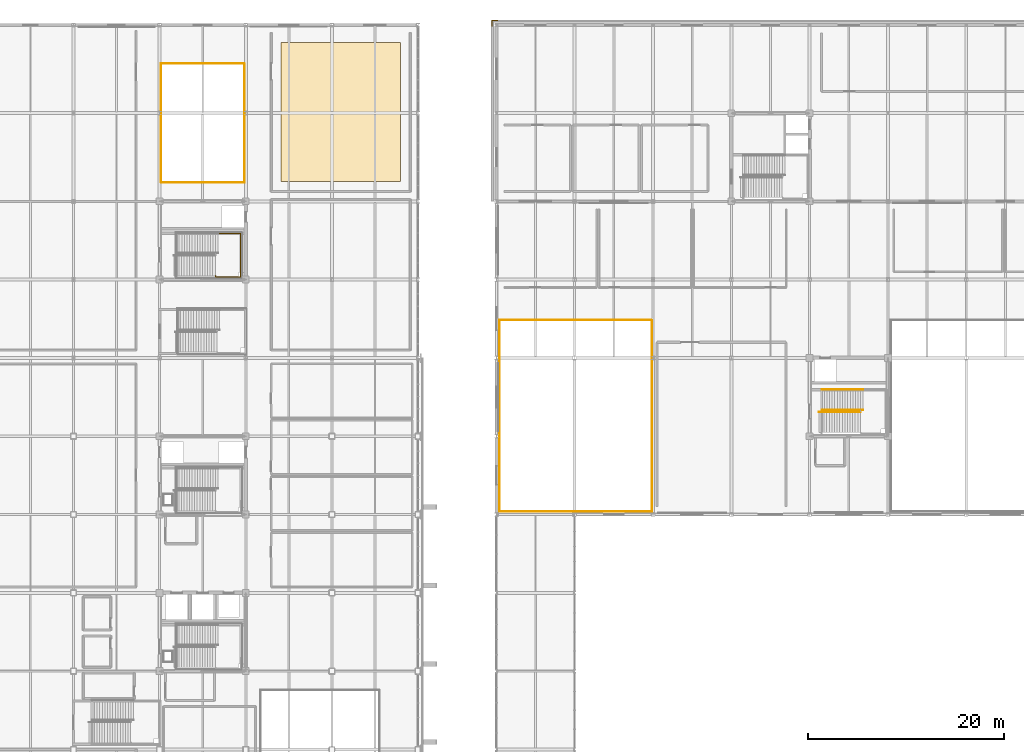
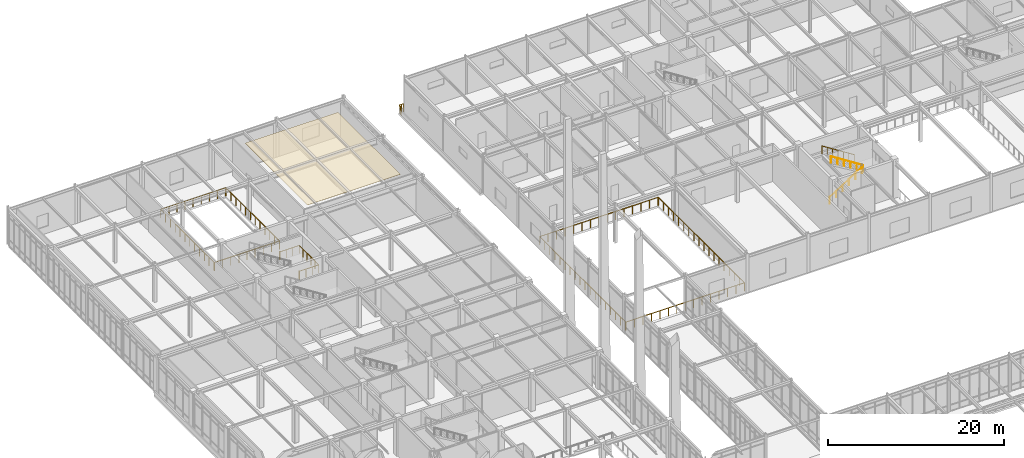
# One storey, part 178 of 184: 9 railings, 1 covering.
"""IFC4 building model written with IfcOpenShell, lengths in metres."""

from ifc_helpers import new_model, si_unit, direction, frame, origin, origin_2d, place, context, subcontext, project, spatial, rectangle, circle, extrude, material, layer, layer_set, type_object, element, save


model = new_model("IFC4")

# Units and contexts
model_context = context("Model", 3, precision=1e-05, world=origin(), true_north=direction((0.0, 1.0)))
body_context = subcontext(model_context, "Body", "Model", "MODEL_VIEW")
ifc_project = project(units=[si_unit("LENGTHUNIT", "METRE"), si_unit("AREAUNIT", "SQUARE_METRE"), si_unit("VOLUMEUNIT", "CUBIC_METRE"), si_unit("PLANEANGLEUNIT", "RADIAN"), si_unit("MASSUNIT", "GRAM", prefix="KILO")], contexts=[model_context])

# Site, building, storey
site_placement = place(None, origin())
site = spatial("IfcSite", under=ifc_project, at=site_placement, CompositionType="ELEMENT")
building_placement = place(site_placement, origin())
building = spatial("IfcBuilding", under=site, at=building_placement, Name="Zhaolan Boulevard Law Courts", CompositionType="ELEMENT")
storey_placement = place(building_placement, frame((0.0, 0.0, 5.39990234375)))
storey = spatial("IfcBuildingStorey", under=building, at=storey_placement, Name="L01", CompositionType="ELEMENT", Elevation=5.39990234375)

# Covering
ifc_material_1 = material(Name="Perforated acoustic gypsum and timber-slat ceiling", Category="wood")
ifc_layer = layer(ifc_material_1, 0.030029296875)
ifc_layer_set = layer_set([ifc_layer])
covering_type = type_object("IfcCoveringType", Name="ACOUSTIC CEILING 30", PredefinedType="CEILING", material=ifc_layer_set)
covering_placement = place(storey_placement, frame((36.10009765625, 103.10009765625, 4.71484375), z_axis=(0.0, 0.0, 1.0), x_axis=(1.0, 0.0, 0.0)))
element("IfcCovering", 1, at=covering_placement, inside=storey, type_object=covering_type, Name="Acoustic Baffle Ceiling CLG-05", PredefinedType="CEILING", context=body_context, shape_type="SweptSolid", body=[
    extrude(rectangle(XDim=12.199951171875, YDim=14.199951171875, at=origin_2d()), origin(), (0.0, 0.0, 1.0), 0.030029296875),
])

# Railings
ifc_material_2 = material(Name="Powder-coated steel and tempered laminated glass", Category="steel")
railing_type_1 = type_object("IfcRailingType", Name="INTERIOR GUARDRAIL 1150", PredefinedType="GUARDRAIL", material=ifc_material_2)
railing_1_placement = place(storey_placement, frame((52.360107421875, 62.320068359375, 0.0)))
element("IfcRailing", 2, at=railing_1_placement, inside=storey, type_object=railing_type_1, Name="Atrium Gallery Guardrail VG-1-V2-5A", PredefinedType="GUARDRAIL", context=body_context, shape_type="SweptSolid", body=[
    extrude(circle(Radius=0.02490234375, at=origin_2d()), frame((0.0, 0.0, 1.125), z_axis=(1.0, 0.0, 0.0), x_axis=(0.0, 1.0, 0.0)), (0.0, 0.0, 1.0), 15.519775390625),
    extrude(circle(Radius=0.02490234375, at=origin_2d()), frame((15.519775390625, 0.0, 1.125), z_axis=(0.0, 1.0, 0.0), x_axis=(-1.0, 0.0, 0.0)), (0.0, 0.0, 1.0), 19.52001953125),
    extrude(circle(Radius=0.02099609375, at=origin_2d()), origin(), (0.0, 0.0, 1.0), 1.099853515625),
    extrude(circle(Radius=0.02099609375, at=origin_2d()), frame((1.108642578125, 0.0, 0.0)), (0.0, 0.0, 1.0), 1.099853515625),
    extrude(circle(Radius=0.02099609375, at=origin_2d()), frame((2.217041015625, 0.0, 0.0)), (0.0, 0.0, 1.0), 1.099853515625),
    extrude(circle(Radius=0.02099609375, at=origin_2d()), frame((3.32568359375, 0.0, 0.0)), (0.0, 0.0, 1.0), 1.099853515625),
    extrude(circle(Radius=0.02099609375, at=origin_2d()), frame((4.434326171875, 0.0, 0.0)), (0.0, 0.0, 1.0), 1.099853515625),
    extrude(circle(Radius=0.02099609375, at=origin_2d()), frame((5.542724609375, 0.0, 0.0)), (0.0, 0.0, 1.0), 1.099853515625),
    extrude(circle(Radius=0.02099609375, at=origin_2d()), frame((6.6513671875, 0.0, 0.0)), (0.0, 0.0, 1.0), 1.099853515625),
    extrude(circle(Radius=0.02099609375, at=origin_2d()), frame((7.759765625, 0.0, 0.0)), (0.0, 0.0, 1.0), 1.099853515625),
    extrude(circle(Radius=0.02099609375, at=origin_2d()), frame((8.868408203125, 0.0, 0.0)), (0.0, 0.0, 1.0), 1.099853515625),
    extrude(circle(Radius=0.02099609375, at=origin_2d()), frame((9.97705078125, 0.0, 0.0)), (0.0, 0.0, 1.0), 1.099853515625),
    extrude(circle(Radius=0.02099609375, at=origin_2d()), frame((11.08544921875, 0.0, 0.0)), (0.0, 0.0, 1.0), 1.099853515625),
    extrude(circle(Radius=0.02099609375, at=origin_2d()), frame((12.194091796875, 0.0, 0.0)), (0.0, 0.0, 1.0), 1.099853515625),
    extrude(circle(Radius=0.02099609375, at=origin_2d()), frame((13.302734375, 0.0, 0.0)), (0.0, 0.0, 1.0), 1.099853515625),
    extrude(circle(Radius=0.02099609375, at=origin_2d()), frame((14.4111328125, 0.0, 0.0)), (0.0, 0.0, 1.0), 1.099853515625),
    extrude(circle(Radius=0.02099609375, at=origin_2d()), frame((15.519775390625, 0.0, 0.0)), (0.0, 0.0, 1.0), 1.099853515625),
    extrude(circle(Radius=0.02099609375, at=origin_2d()), frame((15.519775390625, 1.148193359375, 0.0)), (0.0, 0.0, 1.0), 1.099853515625),
    extrude(circle(Radius=0.02099609375, at=origin_2d()), frame((15.519775390625, 2.29638671875, 0.0)), (0.0, 0.0, 1.0), 1.099853515625),
    extrude(circle(Radius=0.02099609375, at=origin_2d()), frame((15.519775390625, 3.44482421875, 0.0)), (0.0, 0.0, 1.0), 1.099853515625),
    extrude(circle(Radius=0.02099609375, at=origin_2d()), frame((15.519775390625, 4.593017578125, 0.0)), (0.0, 0.0, 1.0), 1.099853515625),
    extrude(circle(Radius=0.02099609375, at=origin_2d()), frame((15.519775390625, 5.7412109375, 0.0)), (0.0, 0.0, 1.0), 1.099853515625),
    extrude(circle(Radius=0.02099609375, at=origin_2d()), frame((15.519775390625, 6.889404296875, 0.0)), (0.0, 0.0, 1.0), 1.099853515625),
    extrude(circle(Radius=0.02099609375, at=origin_2d()), frame((15.519775390625, 8.03759765625, 0.0)), (0.0, 0.0, 1.0), 1.099853515625),
    extrude(circle(Radius=0.02099609375, at=origin_2d()), frame((15.519775390625, 9.185791015625, 0.0)), (0.0, 0.0, 1.0), 1.099853515625),
    extrude(circle(Radius=0.02099609375, at=origin_2d()), frame((15.519775390625, 10.334228515625, 0.0)), (0.0, 0.0, 1.0), 1.099853515625),
    extrude(circle(Radius=0.02099609375, at=origin_2d()), frame((15.519775390625, 11.482421875, 0.0)), (0.0, 0.0, 1.0), 1.099853515625),
    extrude(circle(Radius=0.02099609375, at=origin_2d()), frame((15.519775390625, 12.630615234375, 0.0)), (0.0, 0.0, 1.0), 1.099853515625),
    extrude(circle(Radius=0.02099609375, at=origin_2d()), frame((15.519775390625, 13.77880859375, 0.0)), (0.0, 0.0, 1.0), 1.099853515625),
    extrude(circle(Radius=0.02099609375, at=origin_2d()), frame((15.519775390625, 14.927001953125, 0.0)), (0.0, 0.0, 1.0), 1.099853515625),
    extrude(circle(Radius=0.02099609375, at=origin_2d()), frame((15.519775390625, 16.0751953125, 0.0)), (0.0, 0.0, 1.0), 1.099853515625),
    extrude(circle(Radius=0.02099609375, at=origin_2d()), frame((15.519775390625, 17.2236328125, 0.0)), (0.0, 0.0, 1.0), 1.099853515625),
    extrude(circle(Radius=0.02099609375, at=origin_2d()), frame((15.519775390625, 18.371826171875, 0.0)), (0.0, 0.0, 1.0), 1.099853515625),
    extrude(circle(Radius=0.02099609375, at=origin_2d()), frame((15.519775390625, 19.52001953125, 0.0)), (0.0, 0.0, 1.0), 1.099853515625),
])
railing_2_placement = place(storey_placement, frame((67.820068359375, 81.8798828125, 0.0)))
element("IfcRailing", 3, at=railing_2_placement, inside=storey, type_object=railing_type_1, Name="Atrium Gallery Guardrail VG-1-V2-5B", PredefinedType="GUARDRAIL", context=body_context, shape_type="SweptSolid", body=[
    extrude(circle(Radius=0.02490234375, at=origin_2d()), frame((0.0, 0.0, 1.125), z_axis=(-1.0, 0.0, 0.0), x_axis=(0.0, -1.0, 0.0)), (0.0, 0.0, 1.0), 15.5),
    extrude(circle(Radius=0.02490234375, at=origin_2d()), frame((-15.5, 0.0, 1.125), z_axis=(0.0, -1.0, 0.0), x_axis=(1.0, 0.0, 0.0)), (0.0, 0.0, 1.0), 19.5),
    extrude(circle(Radius=0.02099609375, at=origin_2d()), origin(), (0.0, 0.0, 1.0), 1.099853515625),
    extrude(circle(Radius=0.02099609375, at=origin_2d()), frame((-1.107177734375, 0.0, 0.0)), (0.0, 0.0, 1.0), 1.099853515625),
    extrude(circle(Radius=0.02099609375, at=origin_2d()), frame((-2.21435546875, 0.0, 0.0)), (0.0, 0.0, 1.0), 1.099853515625),
    extrude(circle(Radius=0.02099609375, at=origin_2d()), frame((-3.321533203125, 0.0, 0.0)), (0.0, 0.0, 1.0), 1.099853515625),
    extrude(circle(Radius=0.02099609375, at=origin_2d()), frame((-4.428466796875, 0.0, 0.0)), (0.0, 0.0, 1.0), 1.099853515625),
    extrude(circle(Radius=0.02099609375, at=origin_2d()), frame((-5.53564453125, 0.0, 0.0)), (0.0, 0.0, 1.0), 1.099853515625),
    extrude(circle(Radius=0.02099609375, at=origin_2d()), frame((-6.642822265625, 0.0, 0.0)), (0.0, 0.0, 1.0), 1.099853515625),
    extrude(circle(Radius=0.02099609375, at=origin_2d()), frame((-7.75, 0.0, 0.0)), (0.0, 0.0, 1.0), 1.099853515625),
    extrude(circle(Radius=0.02099609375, at=origin_2d()), frame((-8.857177734375, 0.0, 0.0)), (0.0, 0.0, 1.0), 1.099853515625),
    extrude(circle(Radius=0.02099609375, at=origin_2d()), frame((-9.96435546875, 0.0, 0.0)), (0.0, 0.0, 1.0), 1.099853515625),
    extrude(circle(Radius=0.02099609375, at=origin_2d()), frame((-11.071533203125, 0.0, 0.0)), (0.0, 0.0, 1.0), 1.099853515625),
    extrude(circle(Radius=0.02099609375, at=origin_2d()), frame((-12.178466796875, 0.0, 0.0)), (0.0, 0.0, 1.0), 1.099853515625),
    extrude(circle(Radius=0.02099609375, at=origin_2d()), frame((-13.28564453125, 0.0, 0.0)), (0.0, 0.0, 1.0), 1.099853515625),
    extrude(circle(Radius=0.02099609375, at=origin_2d()), frame((-14.392822265625, 0.0, 0.0)), (0.0, 0.0, 1.0), 1.099853515625),
    extrude(circle(Radius=0.02099609375, at=origin_2d()), frame((-15.5, 0.0, 0.0)), (0.0, 0.0, 1.0), 1.099853515625),
    extrude(circle(Radius=0.02099609375, at=origin_2d()), frame((-15.5, -1.14697265625, 0.0)), (0.0, 0.0, 1.0), 1.099853515625),
    extrude(circle(Radius=0.02099609375, at=origin_2d()), frame((-15.5, -2.294189453125, 0.0)), (0.0, 0.0, 1.0), 1.099853515625),
    extrude(circle(Radius=0.02099609375, at=origin_2d()), frame((-15.5, -3.441162109375, 0.0)), (0.0, 0.0, 1.0), 1.099853515625),
    extrude(circle(Radius=0.02099609375, at=origin_2d()), frame((-15.5, -4.588134765625, 0.0)), (0.0, 0.0, 1.0), 1.099853515625),
    extrude(circle(Radius=0.02099609375, at=origin_2d()), frame((-15.5, -5.7353515625, 0.0)), (0.0, 0.0, 1.0), 1.099853515625),
    extrude(circle(Radius=0.02099609375, at=origin_2d()), frame((-15.5, -6.88232421875, 0.0)), (0.0, 0.0, 1.0), 1.099853515625),
    extrude(circle(Radius=0.02099609375, at=origin_2d()), frame((-15.5, -8.029296875, 0.0)), (0.0, 0.0, 1.0), 1.099853515625),
    extrude(circle(Radius=0.02099609375, at=origin_2d()), frame((-15.5, -9.176513671875, 0.0)), (0.0, 0.0, 1.0), 1.099853515625),
    extrude(circle(Radius=0.02099609375, at=origin_2d()), frame((-15.5, -10.323486328125, 0.0)), (0.0, 0.0, 1.0), 1.099853515625),
    extrude(circle(Radius=0.02099609375, at=origin_2d()), frame((-15.5, -11.470703125, 0.0)), (0.0, 0.0, 1.0), 1.099853515625),
    extrude(circle(Radius=0.02099609375, at=origin_2d()), frame((-15.5, -12.61767578125, 0.0)), (0.0, 0.0, 1.0), 1.099853515625),
    extrude(circle(Radius=0.02099609375, at=origin_2d()), frame((-15.5, -13.7646484375, 0.0)), (0.0, 0.0, 1.0), 1.099853515625),
    extrude(circle(Radius=0.02099609375, at=origin_2d()), frame((-15.5, -14.911865234375, 0.0)), (0.0, 0.0, 1.0), 1.099853515625),
    extrude(circle(Radius=0.02099609375, at=origin_2d()), frame((-15.5, -16.058837890625, 0.0)), (0.0, 0.0, 1.0), 1.099853515625),
    extrude(circle(Radius=0.02099609375, at=origin_2d()), frame((-15.5, -17.205810546875, 0.0)), (0.0, 0.0, 1.0), 1.099853515625),
    extrude(circle(Radius=0.02099609375, at=origin_2d()), frame((-15.5, -18.35302734375, 0.0)), (0.0, 0.0, 1.0), 1.099853515625),
    extrude(circle(Radius=0.02099609375, at=origin_2d()), frame((-15.5, -19.5, 0.0)), (0.0, 0.0, 1.0), 1.099853515625),
])
railing_3_placement = place(storey_placement, frame((17.760009765625, 95.919921875, 0.0)))
element("IfcRailing", 4, at=railing_3_placement, inside=storey, type_object=railing_type_1, Name="Atrium Gallery Guardrail VG-1-V3-4A", PredefinedType="GUARDRAIL", context=body_context, shape_type="SweptSolid", body=[
    extrude(circle(Radius=0.02490234375, at=origin_2d()), frame((0.0, 0.0, 1.125), z_axis=(1.0, 0.0, 0.0), x_axis=(0.0, 1.0, 0.0)), (0.0, 0.0, 1.0), 8.52001953125),
    extrude(circle(Radius=0.02490234375, at=origin_2d()), frame((8.52001953125, 0.0, 1.125), z_axis=(0.0, 1.0, 0.0), x_axis=(-1.0, 0.0, 0.0)), (0.0, 0.0, 1.0), 12.1201171875),
    extrude(circle(Radius=0.02099609375, at=origin_2d()), origin(), (0.0, 0.0, 1.0), 1.099853515625),
    extrude(circle(Radius=0.02099609375, at=origin_2d()), frame((1.06494140625, 0.0, 0.0)), (0.0, 0.0, 1.0), 1.099853515625),
    extrude(circle(Radius=0.02099609375, at=origin_2d()), frame((2.1298828125, 0.0, 0.0)), (0.0, 0.0, 1.0), 1.099853515625),
    extrude(circle(Radius=0.02099609375, at=origin_2d()), frame((3.195068359375, 0.0, 0.0)), (0.0, 0.0, 1.0), 1.099853515625),
    extrude(circle(Radius=0.02099609375, at=origin_2d()), frame((4.260009765625, 0.0, 0.0)), (0.0, 0.0, 1.0), 1.099853515625),
    extrude(circle(Radius=0.02099609375, at=origin_2d()), frame((5.324951171875, 0.0, 0.0)), (0.0, 0.0, 1.0), 1.099853515625),
    extrude(circle(Radius=0.02099609375, at=origin_2d()), frame((6.39013671875, 0.0, 0.0)), (0.0, 0.0, 1.0), 1.099853515625),
    extrude(circle(Radius=0.02099609375, at=origin_2d()), frame((7.455078125, 0.0, 0.0)), (0.0, 0.0, 1.0), 1.099853515625),
    extrude(circle(Radius=0.02099609375, at=origin_2d()), frame((8.52001953125, 0.0, 0.0)), (0.0, 0.0, 1.0), 1.099853515625),
    extrude(circle(Radius=0.02099609375, at=origin_2d()), frame((8.52001953125, 1.101806640625, 0.0)), (0.0, 0.0, 1.0), 1.099853515625),
    extrude(circle(Radius=0.02099609375, at=origin_2d()), frame((8.52001953125, 2.20361328125, 0.0)), (0.0, 0.0, 1.0), 1.099853515625),
    extrude(circle(Radius=0.02099609375, at=origin_2d()), frame((8.52001953125, 3.305419921875, 0.0)), (0.0, 0.0, 1.0), 1.099853515625),
    extrude(circle(Radius=0.02099609375, at=origin_2d()), frame((8.52001953125, 4.4072265625, 0.0)), (0.0, 0.0, 1.0), 1.099853515625),
    extrude(circle(Radius=0.02099609375, at=origin_2d()), frame((8.52001953125, 5.509033203125, 0.0)), (0.0, 0.0, 1.0), 1.099853515625),
    extrude(circle(Radius=0.02099609375, at=origin_2d()), frame((8.52001953125, 6.611083984375, 0.0)), (0.0, 0.0, 1.0), 1.099853515625),
    extrude(circle(Radius=0.02099609375, at=origin_2d()), frame((8.52001953125, 7.712890625, 0.0)), (0.0, 0.0, 1.0), 1.099853515625),
    extrude(circle(Radius=0.02099609375, at=origin_2d()), frame((8.52001953125, 8.814697265625, 0.0)), (0.0, 0.0, 1.0), 1.099853515625),
    extrude(circle(Radius=0.02099609375, at=origin_2d()), frame((8.52001953125, 9.91650390625, 0.0)), (0.0, 0.0, 1.0), 1.099853515625),
    extrude(circle(Radius=0.02099609375, at=origin_2d()), frame((8.52001953125, 11.018310546875, 0.0)), (0.0, 0.0, 1.0), 1.099853515625),
    extrude(circle(Radius=0.02099609375, at=origin_2d()), frame((8.52001953125, 12.1201171875, 0.0)), (0.0, 0.0, 1.0), 1.099853515625),
])
railing_4_placement = place(storey_placement, frame((26.219970703125, 108.080078125, 0.0)))
element("IfcRailing", 5, at=railing_4_placement, inside=storey, type_object=railing_type_1, Name="Atrium Gallery Guardrail VG-1-V3-4B", PredefinedType="GUARDRAIL", context=body_context, shape_type="SweptSolid", body=[
    extrude(circle(Radius=0.02490234375, at=origin_2d()), frame((0.0, 0.0, 1.125), z_axis=(-1.0, 0.0, 0.0), x_axis=(0.0, -1.0, 0.0)), (0.0, 0.0, 1.0), 8.5),
    extrude(circle(Radius=0.02490234375, at=origin_2d()), frame((-8.5, 0.0, 1.125), z_axis=(0.0, -1.0, 0.0), x_axis=(1.0, 0.0, 0.0)), (0.0, 0.0, 1.0), 12.10009765625),
    extrude(circle(Radius=0.02099609375, at=origin_2d()), origin(), (0.0, 0.0, 1.0), 1.099853515625),
    extrude(circle(Radius=0.02099609375, at=origin_2d()), frame((-1.0625, 0.0, 0.0)), (0.0, 0.0, 1.0), 1.099853515625),
    extrude(circle(Radius=0.02099609375, at=origin_2d()), frame((-2.125, 0.0, 0.0)), (0.0, 0.0, 1.0), 1.099853515625),
    extrude(circle(Radius=0.02099609375, at=origin_2d()), frame((-3.1875, 0.0, 0.0)), (0.0, 0.0, 1.0), 1.099853515625),
    extrude(circle(Radius=0.02099609375, at=origin_2d()), frame((-4.25, 0.0, 0.0)), (0.0, 0.0, 1.0), 1.099853515625),
    extrude(circle(Radius=0.02099609375, at=origin_2d()), frame((-5.3125, 0.0, 0.0)), (0.0, 0.0, 1.0), 1.099853515625),
    extrude(circle(Radius=0.02099609375, at=origin_2d()), frame((-6.375, 0.0, 0.0)), (0.0, 0.0, 1.0), 1.099853515625),
    extrude(circle(Radius=0.02099609375, at=origin_2d()), frame((-7.4375, 0.0, 0.0)), (0.0, 0.0, 1.0), 1.099853515625),
    extrude(circle(Radius=0.02099609375, at=origin_2d()), frame((-8.5, 0.0, 0.0)), (0.0, 0.0, 1.0), 1.099853515625),
    extrude(circle(Radius=0.02099609375, at=origin_2d()), frame((-8.5, -1.10009765625, 0.0)), (0.0, 0.0, 1.0), 1.099853515625),
    extrude(circle(Radius=0.02099609375, at=origin_2d()), frame((-8.5, -2.199951171875, 0.0)), (0.0, 0.0, 1.0), 1.099853515625),
    extrude(circle(Radius=0.02099609375, at=origin_2d()), frame((-8.5, -3.300048828125, 0.0)), (0.0, 0.0, 1.0), 1.099853515625),
    extrude(circle(Radius=0.02099609375, at=origin_2d()), frame((-8.5, -4.400146484375, 0.0)), (0.0, 0.0, 1.0), 1.099853515625),
    extrude(circle(Radius=0.02099609375, at=origin_2d()), frame((-8.5, -5.5, 0.0)), (0.0, 0.0, 1.0), 1.099853515625),
    extrude(circle(Radius=0.02099609375, at=origin_2d()), frame((-8.5, -6.60009765625, 0.0)), (0.0, 0.0, 1.0), 1.099853515625),
    extrude(circle(Radius=0.02099609375, at=origin_2d()), frame((-8.5, -7.699951171875, 0.0)), (0.0, 0.0, 1.0), 1.099853515625),
    extrude(circle(Radius=0.02099609375, at=origin_2d()), frame((-8.5, -8.800048828125, 0.0)), (0.0, 0.0, 1.0), 1.099853515625),
    extrude(circle(Radius=0.02099609375, at=origin_2d()), frame((-8.5, -9.900146484375, 0.0)), (0.0, 0.0, 1.0), 1.099853515625),
    extrude(circle(Radius=0.02099609375, at=origin_2d()), frame((-8.5, -11.0, 0.0)), (0.0, 0.0, 1.0), 1.099853515625),
    extrude(circle(Radius=0.02099609375, at=origin_2d()), frame((-8.5, -12.10009765625, 0.0)), (0.0, 0.0, 1.0), 1.099853515625),
])
ifc_material_3 = material(Name="Brushed stainless steel tubular handrail", Category="steel")
railing_type_2 = type_object("IfcRailingType", Name="STAIR HANDRAIL 900", PredefinedType="HANDRAIL", material=ifc_material_3)
railing_5_placement = place(storey_placement, frame((84.949951171875, 72.47998046875, 0.0)))
element("IfcRailing", 6, at=railing_5_placement, inside=storey, type_object=railing_type_2, Name="Stair Handrail HR-ST08-L01-1", PredefinedType="HANDRAIL", context=body_context, shape_type="SweptSolid", body=[
    extrude(circle(Radius=0.0224609375, at=origin_2d()), frame((0.0, 0.0, 0.87744140625), z_axis=(0.843479452326, 0.0, 0.53716144082), x_axis=(0.0, 1.0, 0.0)), (0.0, 0.0, 1.0), 5.02685546875),
    extrude(circle(Radius=0.01904296875, at=origin_2d()), origin(), (0.0, 0.0, 1.0), 0.85498046875),
    extrude(circle(Radius=0.01904296875, at=origin_2d()), frame((0.847900390625, 0.0, 0.5400390625)), (0.0, 0.0, 1.0), 0.85498046875),
    extrude(circle(Radius=0.01904296875, at=origin_2d()), frame((1.696044921875, 0.0, 1.080078125)), (0.0, 0.0, 1.0), 0.85498046875),
    extrude(circle(Radius=0.01904296875, at=origin_2d()), frame((2.5439453125, 0.0, 1.6201171875)), (0.0, 0.0, 1.0), 0.85498046875),
    extrude(circle(Radius=0.01904296875, at=origin_2d()), frame((3.39208984375, 0.0, 2.16015625)), (0.0, 0.0, 1.0), 0.85498046875),
    extrude(circle(Radius=0.01904296875, at=origin_2d()), frame((4.239990234375, 0.0, 2.7001953125)), (0.0, 0.0, 1.0), 0.85498046875),
])
railing_6_placement = place(storey_placement, frame((89.47509765625, 72.699951171875, 2.7001953125)))
element("IfcRailing", 7, at=railing_6_placement, inside=storey, type_object=railing_type_2, Name="Stair Handrail HR-ST08-L01-2", PredefinedType="HANDRAIL", context=body_context, shape_type="SweptSolid", body=[
    extrude(circle(Radius=0.0224609375, at=origin_2d()), frame((0.0, 0.0, 0.87744140625), z_axis=(-0.843501457581, 0.0, 0.537126885437), x_axis=(0.0, -1.0, 0.0)), (0.0, 0.0, 1.0), 5.026611328125),
    extrude(circle(Radius=0.01904296875, at=origin_2d()), origin(), (0.0, 0.0, 1.0), 0.85498046875),
    extrude(circle(Radius=0.01904296875, at=origin_2d()), frame((-0.847900390625, 0.0, 0.5400390625)), (0.0, 0.0, 1.0), 0.85498046875),
    extrude(circle(Radius=0.01904296875, at=origin_2d()), frame((-1.696044921875, 0.0, 1.080078125)), (0.0, 0.0, 1.0), 0.85498046875),
    extrude(circle(Radius=0.01904296875, at=origin_2d()), frame((-2.5439453125, 0.0, 1.619873046875)), (0.0, 0.0, 1.0), 0.85498046875),
    extrude(circle(Radius=0.01904296875, at=origin_2d()), frame((-3.39208984375, 0.0, 2.159912109375)), (0.0, 0.0, 1.0), 0.85498046875),
    extrude(circle(Radius=0.01904296875, at=origin_2d()), frame((-4.239990234375, 0.0, 2.699951171875)), (0.0, 0.0, 1.0), 0.85498046875),
])
ifc_material_4 = material(Name="Powder-coated steel baluster guardrail", Category="steel")
railing_type_3 = type_object("IfcRailingType", Name="STAIR WELL GUARDRAIL 1120", PredefinedType="GUARDRAIL", material=ifc_material_4)
railing_7_placement = place(storey_placement, frame((89.47509765625, 74.760009765625, 2.7001953125)))
element("IfcRailing", 8, at=railing_7_placement, inside=storey, type_object=railing_type_3, Name="Flight Guardrail SG-ST08-L01-F2", PredefinedType="GUARDRAIL", context=body_context, shape_type="SweptSolid", body=[
    extrude(circle(Radius=0.02392578125, at=origin_2d()), frame((0.0, 0.0, 1.09619140625), z_axis=(-0.843501457581, 0.0, 0.537126885437), x_axis=(0.0, -1.0, 0.0)), (0.0, 0.0, 1.0), 5.026611328125),
    extrude(circle(Radius=0.02099609375, at=origin_2d()), origin(), (0.0, 0.0, 1.0), 1.072021484375),
    extrude(circle(Radius=0.02099609375, at=origin_2d()), frame((-0.70654296875, 0.0, 0.449951171875)), (0.0, 0.0, 1.0), 1.072021484375),
    extrude(circle(Radius=0.02099609375, at=origin_2d()), frame((-1.413330078125, 0.0, 0.89990234375)), (0.0, 0.0, 1.0), 1.072021484375),
    extrude(circle(Radius=0.02099609375, at=origin_2d()), frame((-2.1201171875, 0.0, 1.35009765625)), (0.0, 0.0, 1.0), 1.072021484375),
    extrude(circle(Radius=0.02099609375, at=origin_2d()), frame((-2.82666015625, 0.0, 1.800048828125)), (0.0, 0.0, 1.0), 1.072021484375),
    extrude(circle(Radius=0.02099609375, at=origin_2d()), frame((-3.533203125, 0.0, 2.25)), (0.0, 0.0, 1.0), 1.072021484375),
    extrude(circle(Radius=0.02099609375, at=origin_2d()), frame((-4.239990234375, 0.0, 2.699951171875)), (0.0, 0.0, 1.0), 1.072021484375),
])
railing_8_placement = place(storey_placement, frame((23.320068359375, 86.39990234375, 2.7001953125)))
element("IfcRailing", 9, at=railing_8_placement, inside=storey, type_object=railing_type_3, Name="Half-Landing Guardrail SG-ST10-L01-M", PredefinedType="GUARDRAIL", context=body_context, shape_type="SweptSolid", body=[
    extrude(circle(Radius=0.02392578125, at=origin_2d()), frame((0.0, 0.0, 1.09619140625), z_axis=(0.0, -1.0, 0.0), x_axis=(1.0, 0.0, 0.0)), (0.0, 0.0, 1.0), 0.119873046875),
    extrude(circle(Radius=0.02392578125, at=origin_2d()), frame((0.0, -0.119873046875, 1.09619140625), z_axis=(1.0, 0.0, 0.0), x_axis=(0.0, 1.0, 0.0)), (0.0, 0.0, 1.0), 2.550048828125),
    extrude(circle(Radius=0.02392578125, at=origin_2d()), frame((2.550048828125, -0.119873046875, 1.09619140625), z_axis=(0.0, 1.0, 0.0), x_axis=(-1.0, 0.0, 0.0)), (0.0, 0.0, 1.0), 4.43994140625),
    extrude(circle(Radius=0.02392578125, at=origin_2d()), frame((2.550048828125, 4.320068359375, 1.09619140625), z_axis=(-1.0, 0.0, 0.0), x_axis=(0.0, -1.0, 0.0)), (0.0, 0.0, 1.0), 2.550048828125),
    extrude(circle(Radius=0.02392578125, at=origin_2d()), frame((0.0, 4.320068359375, 1.09619140625), z_axis=(0.0, 1.0, 0.0), x_axis=(-1.0, 0.0, 0.0)), (0.0, 0.0, 1.0), 0.06005859375),
    extrude(circle(Radius=0.02099609375, at=origin_2d()), origin(), (0.0, 0.0, 1.0), 1.072021484375),
    extrude(circle(Radius=0.02099609375, at=origin_2d()), frame((0.0, -0.119873046875, 0.0)), (0.0, 0.0, 1.0), 1.072021484375),
    extrude(circle(Radius=0.02099609375, at=origin_2d()), frame((0.85009765625, -0.119873046875, 0.0)), (0.0, 0.0, 1.0), 1.072021484375),
    extrude(circle(Radius=0.02099609375, at=origin_2d()), frame((1.699951171875, -0.119873046875, 0.0)), (0.0, 0.0, 1.0), 1.072021484375),
    extrude(circle(Radius=0.02099609375, at=origin_2d()), frame((2.550048828125, -0.119873046875, 0.0)), (0.0, 0.0, 1.0), 1.072021484375),
    extrude(circle(Radius=0.02099609375, at=origin_2d()), frame((2.550048828125, 0.76806640625, 0.0)), (0.0, 0.0, 1.0), 1.072021484375),
    extrude(circle(Radius=0.02099609375, at=origin_2d()), frame((2.550048828125, 1.656005859375, 0.0)), (0.0, 0.0, 1.0), 1.072021484375),
    extrude(circle(Radius=0.02099609375, at=origin_2d()), frame((2.550048828125, 2.544189453125, 0.0)), (0.0, 0.0, 1.0), 1.072021484375),
    extrude(circle(Radius=0.02099609375, at=origin_2d()), frame((2.550048828125, 3.43212890625, 0.0)), (0.0, 0.0, 1.0), 1.072021484375),
    extrude(circle(Radius=0.02099609375, at=origin_2d()), frame((2.550048828125, 4.320068359375, 0.0)), (0.0, 0.0, 1.0), 1.072021484375),
    extrude(circle(Radius=0.02099609375, at=origin_2d()), frame((1.699951171875, 4.320068359375, 0.0)), (0.0, 0.0, 1.0), 1.072021484375),
    extrude(circle(Radius=0.02099609375, at=origin_2d()), frame((0.85009765625, 4.320068359375, 0.0)), (0.0, 0.0, 1.0), 1.072021484375),
    extrude(circle(Radius=0.02099609375, at=origin_2d()), frame((0.0, 4.320068359375, 0.0)), (0.0, 0.0, 1.0), 1.072021484375),
    extrude(circle(Radius=0.02099609375, at=origin_2d()), frame((0.0, 4.380126953125, 0.0)), (0.0, 0.0, 1.0), 1.072021484375),
])
railing_9_placement = place(storey_placement, frame((51.5400390625, 111.8798828125, 0.0)))
element("IfcRailing", 10, at=railing_9_placement, inside=storey, type_object=railing_type_3, Name="Slab Corner Guardrail GR-CRN-L01-V6NW", PredefinedType="GUARDRAIL", context=body_context, shape_type="SweptSolid", body=[
    extrude(circle(Radius=0.02392578125, at=origin_2d()), frame((0.0, 0.0, 1.09619140625), z_axis=(0.0, 1.0, 0.0), x_axis=(-1.0, 0.0, 0.0)), (0.0, 0.0, 1.0), 0.580078125),
    extrude(circle(Radius=0.02392578125, at=origin_2d()), frame((0.0, 0.580078125, 1.09619140625), z_axis=(1.0, 0.0, 0.0), x_axis=(0.0, 1.0, 0.0)), (0.0, 0.0, 1.0), 0.580078125),
    extrude(circle(Radius=0.02099609375, at=origin_2d()), origin(), (0.0, 0.0, 1.0), 1.072021484375),
    extrude(circle(Radius=0.02099609375, at=origin_2d()), frame((0.0, 0.2900390625, 0.0)), (0.0, 0.0, 1.0), 1.072021484375),
    extrude(circle(Radius=0.02099609375, at=origin_2d()), frame((0.0, 0.580078125, 0.0)), (0.0, 0.0, 1.0), 1.072021484375),
    extrude(circle(Radius=0.02099609375, at=origin_2d()), frame((0.2900390625, 0.580078125, 0.0)), (0.0, 0.0, 1.0), 1.072021484375),
    extrude(circle(Radius=0.02099609375, at=origin_2d()), frame((0.580078125, 0.580078125, 0.0)), (0.0, 0.0, 1.0), 1.072021484375),
])

save(model, "model.ifc")
